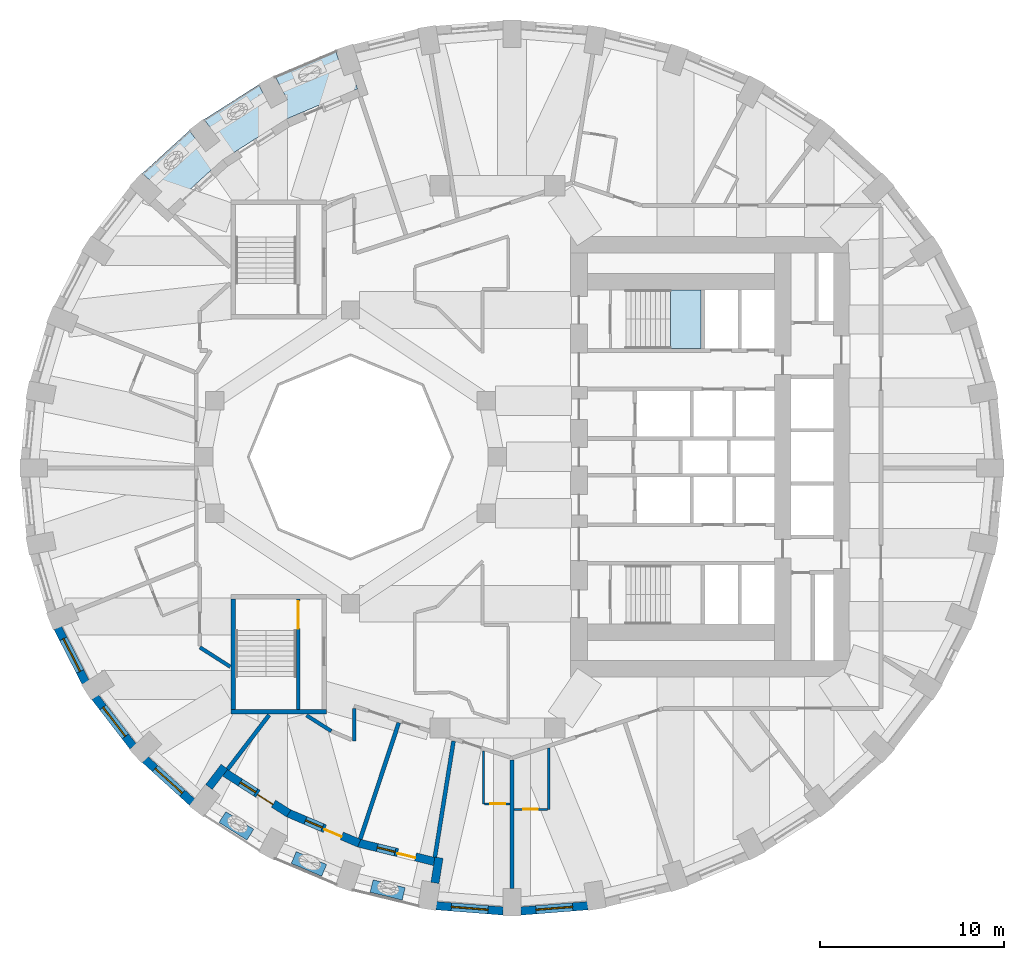
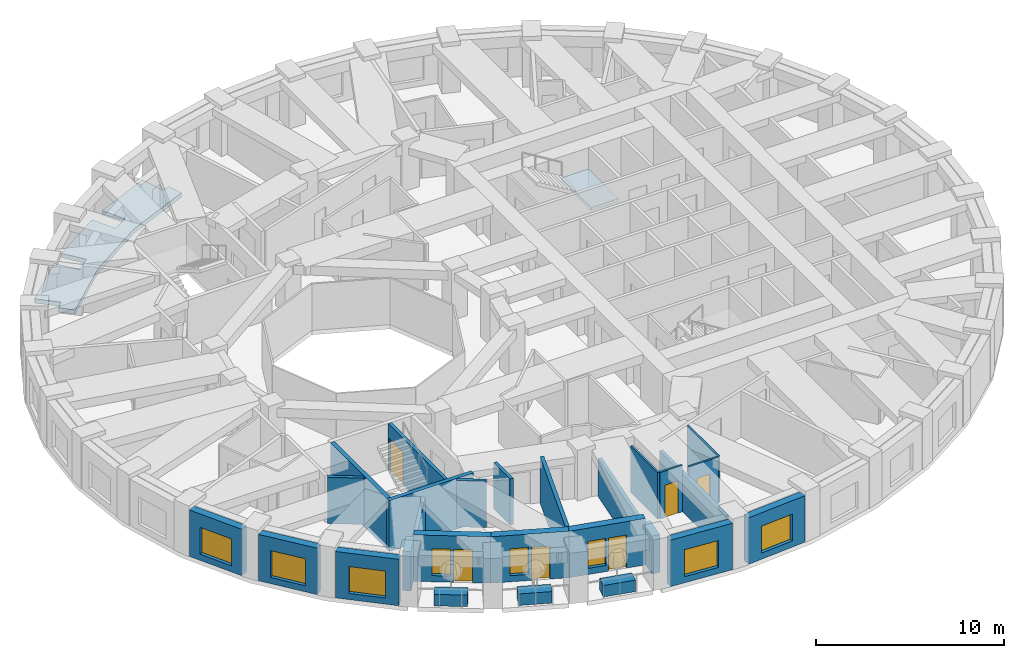
# One storey, part 3 of 12: 27 walls, 8 windows, 6 doors, 2 slabs, 14 openings, 1 element without a shape of its own.
"""IFC4 building model written with IfcOpenShell, lengths in metres."""

from ifc_helpers import new_model, si_unit, direction, frame, frame_2d, origin, place, context, subcontext, project, spatial, polyline, rectangle, outline, extrude, material, layer, layer_set, constituent, constituent_set, type_object, element, fill, aggregate, save


model = new_model("IFC4")

# Units and contexts
model_context = context("Model", 3, precision=1e-05, world=origin(), true_north=direction((0.0, 1.0)))
body_context = subcontext(model_context, "Body", "Model", "MODEL_VIEW")
ifc_project = project(units=[si_unit("LENGTHUNIT", "METRE"), si_unit("AREAUNIT", "SQUARE_METRE"), si_unit("VOLUMEUNIT", "CUBIC_METRE"), si_unit("PLANEANGLEUNIT", "RADIAN"), si_unit("MASSUNIT", "GRAM", prefix="KILO")], contexts=[model_context])

# Site, building, storey
site_placement = place(None, origin())
site = spatial("IfcSite", under=ifc_project, at=site_placement, CompositionType="ELEMENT")
building_placement = place(site_placement, origin())
building = spatial("IfcBuilding", under=site, at=building_placement, Name="Taillehof Tower", CompositionType="ELEMENT")
storey_placement = place(building_placement, frame((0.0, 0.0, 125.199951171875)))
storey = spatial("IfcBuildingStorey", under=building, at=storey_placement, Name="L35", CompositionType="ELEMENT", Elevation=125.199951171875)

# Slab
ifc_material_1 = material(Name="Concrete C40/50", Category="concrete")
ifc_layer_1 = layer(ifc_material_1, 0.280029296875)
ifc_layer_set_1 = layer_set([ifc_layer_1], Name="Balcony slab 280")
slab_type_1 = type_object("IfcSlabType", Name="Balcony slab 280", PredefinedType="USERDEFINED", material=ifc_layer_set_1)
slab_1_placement = place(storey_placement, frame((0.0, 0.0, -0.280029296875)))
element("IfcSlab", 1, at=slab_1_placement, inside=storey, type_object=slab_type_1, Name="Balcony L35 pocket 3", ObjectType="BALCONY", PredefinedType="USERDEFINED", context=body_context, shape_type="SweptSolid", body=[
    extrude(outline(polyline([(-17.965087890625, 13.45751953125), (-18.627685546875, 14.068115234375), (-18.26513671875, 14.46142578125), (-19.3330078125, 15.445556640625), (-16.7724609375, 17.77685546875), (-15.88671875, 16.617431640625), (-15.092041015625, 17.224609375), (-15.974609375, 18.379638671875), (-12.998046875, 20.27734375), (-12.318603515625, 18.985107421875), (-11.433349609375, 19.4501953125), (-12.11083984375, 20.73876953125), (-8.807861328125, 22.14111328125), (-8.348388671875, 20.754638671875), (-7.894287109375, 20.905029296875), (-7.611328125, 20.05029296875), (-11.4833984375, 18.40673828125), (-14.9697265625, 16.184326171875), (-17.965087890625, 13.45751953125)])), origin(), (0.0, 0.0, 1.0), 0.280029296875),
])

# Stair, slab
ifc_material_2 = material(Name="Concrete C40/50", Category="concrete")
stair_type = type_object("IfcStairType", Name="Exit stair half-turn", PredefinedType="HALF_TURN_STAIR", material=ifc_material_2)
stair_placement = place(storey_placement, origin())
stair = element("IfcStair", 2, at=stair_placement, inside=storey, type_object=stair_type, Name="Exit stair S1", PredefinedType="HALF_TURN_STAIR")
ifc_material_3 = material(Name="Concrete C40/50", Category="concrete")
ifc_layer_2 = layer(ifc_material_3, 0.2099609375)
ifc_layer_set_2 = layer_set([ifc_layer_2], Name="Stair landing C40/50 210")
slab_type_2 = type_object("IfcSlabType", Name="Stair landing C40/50 210", PredefinedType="LANDING", material=ifc_layer_set_2)
slab_2_placement = place(storey_placement, frame((0.0, 0.0, 1.43994140625)))
slab_2 = element("IfcSlab", 3, at=slab_2_placement, type_object=slab_type_2, Name="S1 landing 1", PredefinedType="LANDING", context=body_context, shape_type="SweptSolid", body=[
    extrude(outline(polyline([(9.429931640625, 5.89990234375), (11.10009765625, 5.89990234375), (11.10009765625, 9.10009765625), (9.429931640625, 9.10009765625), (9.429931640625, 5.89990234375)])), origin(), (0.0, 0.0, 1.0), 0.210205078125),
])
aggregate(stair, [slab_2])

# Wall, opening, window
ifc_material_4 = material(Name="Brick masonry", Category="masonry")
ifc_layer_3 = layer(ifc_material_4, 0.449951171875)
ifc_layer_set_3 = layer_set([ifc_layer_3], Name="Brick infill wall 450")
wall_type_1 = type_object("IfcWallType", Name="Brick infill wall 450", PredefinedType="SOLIDWALL", material=ifc_layer_set_3)
wall_1_placement = place(storey_placement, frame((-23.9453125, -9.312255859375, 0.0), z_axis=(0.0, 0.0, 1.0), x_axis=(0.456828186229, -0.889554949549, 0.0)))
wall_1 = element("IfcWall", 4, at=wall_1_placement, inside=storey, type_object=wall_type_1, Name="Brick wall L35 bay 21", PredefinedType="SOLIDWALL", context=body_context, shape_type="SweptSolid", body=[
    extrude(rectangle(XDim=3.332763671875, YDim=0.449951171875, at=frame_2d((1.66650390625, 0.0))), origin(), (0.0, 0.0, 1.0), 3.02001953125),
])
opening_1_placement = place(wall_1_placement, frame((0.666259765625, 0.0, 0.39990234375)))
opening_1 = element("IfcOpeningElement", 5, at=opening_1_placement, cuts=wall_1, Name="Opening W2", PredefinedType="OPENING", context=body_context, shape_type="SweptSolid", body=[
    extrude(rectangle(XDim=2.0, YDim=1.75, at=frame_2d((1.0, 0.875))), frame((0.0, 0.23486328125, 0.0), z_axis=(0.0, -1.0, 0.0), x_axis=(1.0, 0.0, 0.0)), (0.0, 0.0, 1.0), 0.469970703125),
])
ifc_material_5 = material(Name="Aluminium window frame with clear double glazing", Category="aluminium")
window_type_1 = type_object("IfcWindowType", Name="Deep-set window 2000x1750", PartitioningType="SINGLE_PANEL", PredefinedType="WINDOW", material=ifc_material_5)
window_1_placement = place(opening_1_placement, origin())
window_1 = element("IfcWindow", 6, at=window_1_placement, inside=storey, type_object=window_type_1, Name="W2", OverallHeight=1.75, OverallWidth=2.0, PartitioningType="SINGLE_PANEL", PredefinedType="WINDOW", context=body_context, shape_type="SweptSolid", body=[
    extrude(rectangle(XDim=2.0, YDim=1.75, at=frame_2d((1.0, 0.875))), frame((0.0, 0.034912109375, 0.0), z_axis=(0.0, -1.0, 0.0), x_axis=(1.0, 0.0, 0.0)), (0.0, 0.0, 1.0), 0.06005859375),
])
fill(opening_1, window_1)

wall_2_placement = place(storey_placement, frame((-21.908203125, -13.08740234375, 0.0), z_axis=(0.0, 0.0, 1.0), x_axis=(0.610693945156, -0.791866721961, 0.0)))
wall_2 = element("IfcWall", 7, at=wall_2_placement, inside=storey, type_object=wall_type_1, Name="Brick wall L35 bay 22", PredefinedType="SOLIDWALL", context=body_context, shape_type="SweptSolid", body=[
    extrude(rectangle(XDim=3.39453125, YDim=0.449951171875, at=frame_2d((1.697265625, 0.0))), origin(), (0.0, 0.0, 1.0), 3.02001953125),
])
opening_2_placement = place(wall_2_placement, frame((0.697265625, 0.0, 0.39990234375)))
opening_2 = element("IfcOpeningElement", 8, at=opening_2_placement, cuts=wall_2, Name="Opening W2", PredefinedType="OPENING", context=body_context, shape_type="SweptSolid", body=[
    extrude(rectangle(XDim=2.0, YDim=1.75, at=frame_2d((1.0, 0.875))), frame((0.0, 0.23486328125, 0.0), z_axis=(0.0, -1.0, 0.0), x_axis=(1.0, 0.0, 0.0)), (0.0, 0.0, 1.0), 0.469970703125),
])
window_2_placement = place(opening_2_placement, origin())
window_2 = element("IfcWindow", 9, at=window_2_placement, inside=storey, type_object=window_type_1, Name="W2", OverallHeight=1.75, OverallWidth=2.0, PartitioningType="SINGLE_PANEL", PredefinedType="WINDOW", context=body_context, shape_type="SweptSolid", body=[
    extrude(rectangle(XDim=2.0, YDim=1.75, at=frame_2d((1.0, 0.875))), frame((0.0, 0.034912109375, 0.0), z_axis=(0.0, -1.0, 0.0), x_axis=(1.0, 0.0, 0.0)), (0.0, 0.0, 1.0), 0.06005859375),
])
fill(opening_2, window_2)

wall_3_placement = place(storey_placement, frame((-19.18408203125, -16.481201171875, 0.0), z_axis=(0.0, 0.0, 1.0), x_axis=(0.740364106106, -0.672206062446, 0.0)))
wall_3 = element("IfcWall", 10, at=wall_3_placement, inside=storey, type_object=wall_type_1, Name="Brick wall L35 bay 23", PredefinedType="SOLIDWALL", context=body_context, shape_type="SweptSolid", body=[
    extrude(rectangle(XDim=3.4638671875, YDim=0.449951171875, at=frame_2d((1.73193359375, 0.0))), origin(), (0.0, 0.0, 1.0), 3.02001953125),
])
opening_3_placement = place(wall_3_placement, frame((0.73193359375, 0.0, 0.39990234375)))
opening_3 = element("IfcOpeningElement", 11, at=opening_3_placement, cuts=wall_3, Name="Opening W2", PredefinedType="OPENING", context=body_context, shape_type="SweptSolid", body=[
    extrude(rectangle(XDim=2.0, YDim=1.75, at=frame_2d((1.0, 0.875))), frame((0.0, 0.23486328125, 0.0), z_axis=(0.0, -1.0, 0.0), x_axis=(1.0, 0.0, 0.0)), (0.0, 0.0, 1.0), 0.469970703125),
])
window_3_placement = place(opening_3_placement, origin())
window_3 = element("IfcWindow", 12, at=window_3_placement, inside=storey, type_object=window_type_1, Name="W2", OverallHeight=1.75, OverallWidth=2.0, PartitioningType="SINGLE_PANEL", PredefinedType="WINDOW", context=body_context, shape_type="SweptSolid", body=[
    extrude(rectangle(XDim=2.0, YDim=1.75, at=frame_2d((1.0, 0.875))), frame((0.0, 0.034912109375, 0.0), z_axis=(0.0, -1.0, 0.0), x_axis=(1.0, 0.0, 0.0)), (0.0, 0.0, 1.0), 0.06005859375),
])
fill(opening_3, window_3)

wall_4_placement = place(storey_placement, frame((-3.32666015625, -24.446533203125, 0.0), z_axis=(0.0, 0.0, 1.0), x_axis=(0.996862216754, -0.079156306178, 0.0)))
wall_4 = element("IfcWall", 13, at=wall_4_placement, inside=storey, type_object=wall_type_1, Name="Brick wall L35 bay 27", PredefinedType="SOLIDWALL", context=body_context, shape_type="SweptSolid", body=[
    extrude(rectangle(XDim=3.657958984375, YDim=0.449951171875, at=frame_2d((1.8291015625, 0.0))), origin(), (0.0, 0.0, 1.0), 3.02001953125),
])
opening_4_placement = place(wall_4_placement, frame((0.8291015625, 0.0, 0.39990234375)))
opening_4 = element("IfcOpeningElement", 14, at=opening_4_placement, cuts=wall_4, Name="Opening W2", PredefinedType="OPENING", context=body_context, shape_type="SweptSolid", body=[
    extrude(rectangle(XDim=2.0, YDim=1.75, at=frame_2d((1.0, 0.875))), frame((0.0, 0.23486328125, 0.0), z_axis=(0.0, -1.0, 0.0), x_axis=(1.0, 0.0, 0.0)), (0.0, 0.0, 1.0), 0.469970703125),
])
window_4_placement = place(opening_4_placement, origin())
window_4 = element("IfcWindow", 15, at=window_4_placement, inside=storey, type_object=window_type_1, Name="W2", OverallHeight=1.75, OverallWidth=2.0, PartitioningType="SINGLE_PANEL", PredefinedType="WINDOW", context=body_context, shape_type="SweptSolid", body=[
    extrude(rectangle(XDim=2.0, YDim=1.75, at=frame_2d((1.0, 0.875))), frame((0.0, 0.034912109375, 0.0), z_axis=(0.0, -1.0, 0.0), x_axis=(1.0, 0.0, 0.0)), (0.0, 0.0, 1.0), 0.06005859375),
])
fill(opening_4, window_4)

wall_5_placement = place(storey_placement, frame((1.280029296875, -24.736083984375, 0.0), z_axis=(0.0, 0.0, 1.0), x_axis=(0.996862216754, 0.079156306178, 0.0)))
wall_5 = element("IfcWall", 16, at=wall_5_placement, inside=storey, type_object=wall_type_1, Name="Brick wall L35 bay 28", PredefinedType="SOLIDWALL", context=body_context, shape_type="SweptSolid", body=[
    extrude(rectangle(XDim=3.657958984375, YDim=0.449951171875, at=frame_2d((1.8291015625, 0.0))), origin(), (0.0, 0.0, 1.0), 3.02001953125),
])
opening_5_placement = place(wall_5_placement, frame((0.8291015625, 0.0, 0.39990234375)))
opening_5 = element("IfcOpeningElement", 17, at=opening_5_placement, cuts=wall_5, Name="Opening W2", PredefinedType="OPENING", context=body_context, shape_type="SweptSolid", body=[
    extrude(rectangle(XDim=2.0, YDim=1.75, at=frame_2d((1.0, 0.875))), frame((0.0, 0.23486328125, 0.0), z_axis=(0.0, -1.0, 0.0), x_axis=(1.0, 0.0, 0.0)), (0.0, 0.0, 1.0), 0.469970703125),
])
window_5_placement = place(opening_5_placement, origin())
window_5 = element("IfcWindow", 18, at=window_5_placement, inside=storey, type_object=window_type_1, Name="W2", OverallHeight=1.75, OverallWidth=2.0, PartitioningType="SINGLE_PANEL", PredefinedType="WINDOW", context=body_context, shape_type="SweptSolid", body=[
    extrude(rectangle(XDim=2.0, YDim=1.75, at=frame_2d((1.0, 0.875))), frame((0.0, 0.034912109375, 0.0), z_axis=(0.0, -1.0, 0.0), x_axis=(1.0, 0.0, 0.0)), (0.0, 0.0, 1.0), 0.06005859375),
])
fill(opening_5, window_5)

# Walls
wall_6_placement = place(storey_placement, frame((-15.70751953125, -17.9794921875, 0.0), z_axis=(0.0, 0.0, 1.0), x_axis=(0.607026495834, 0.794681592435, 0.0)))
element("IfcWall", 19, at=wall_6_placement, inside=storey, type_object=wall_type_1, Name="Brick reveal L35 pocket 7", PredefinedType="SOLIDWALL", context=body_context, shape_type="SweptSolid", body=[
    extrude(rectangle(XDim=1.390869140625, YDim=0.449951171875, at=frame_2d((0.6953125, 0.0))), origin(), (0.0, 0.0, 1.0), 2.570068359375),
])
wall_7_placement = place(storey_placement, frame((-3.39697265625, -23.203857421875, 0.0), z_axis=(0.0, 0.0, 1.0), x_axis=(0.158415168535, 0.987372591466, 0.0)))
element("IfcWall", 20, at=wall_7_placement, inside=storey, type_object=wall_type_1, Name="Brick reveal L35 pocket 7", PredefinedType="SOLIDWALL", context=body_context, shape_type="SweptSolid", body=[
    extrude(rectangle(XDim=1.39013671875, YDim=0.449951171875, at=frame_2d((0.695068359375, 0.0))), origin(), (0.0, 0.0, 1.0), 2.469970703125),
])

# Wall, openings, door, window
wall_8_placement = place(storey_placement, frame((-14.832763671875, -17.204833984375, 0.0), z_axis=(0.0, 0.0, 1.0), x_axis=(0.843255766903, -0.537512522259, 0.0)))
wall_8 = element("IfcWall", 21, at=wall_8_placement, inside=storey, type_object=wall_type_1, Name="Brick wall L35 pocket bay 24", PredefinedType="SOLIDWALL", context=body_context, shape_type="SweptSolid", body=[
    extrude(rectangle(XDim=4.115478515625, YDim=0.449951171875, at=frame_2d((2.0576171875, 0.0))), origin(), (0.0, 0.0, 1.0), 3.02001953125),
])
opening_6_placement = place(wall_8_placement, frame((0.982666015625, 0.0, 0.39990234375)))
opening_6 = element("IfcOpeningElement", 22, at=opening_6_placement, cuts=wall_8, Name="Opening W5", PredefinedType="OPENING", context=body_context, shape_type="SweptSolid", body=[
    extrude(rectangle(XDim=1.0, YDim=1.75, at=frame_2d((0.5, 0.875))), frame((0.0, 0.23486328125, 0.0), z_axis=(0.0, -1.0, 0.0), x_axis=(1.0, 0.0, 0.0)), (0.0, 0.0, 1.0), 0.469970703125),
])
opening_7_placement = place(wall_8_placement, frame((2.132568359375, 0.0, 0.0)))
opening_7 = element("IfcOpeningElement", 23, at=opening_7_placement, cuts=wall_8, Name="Opening D3591", PredefinedType="OPENING", context=body_context, shape_type="SweptSolid", body=[
    extrude(rectangle(XDim=1.0, YDim=2.14990234375, at=frame_2d((0.5, 1.074951171875))), frame((0.0, 0.23486328125, 0.0), z_axis=(0.0, -1.0, 0.0), x_axis=(1.0, 0.0, 0.0)), (0.0, 0.0, 1.0), 0.469970703125),
])
ifc_material_6 = material(Name="Aluminium door frame with clear double glazing", Category="aluminium")
door_type_1 = type_object("IfcDoorType", Name="Balcony door 1000x2150", OperationType="SINGLE_SWING_RIGHT", PredefinedType="DOOR", material=ifc_material_6)
door_1_placement = place(opening_7_placement, frame((1.0, 0.0, 0.0), z_axis=(0.0, 0.0, 1.0), x_axis=(-1.0, 0.0, 0.0)))
door_1 = element("IfcDoor", 24, at=door_1_placement, inside=storey, type_object=door_type_1, Name="Balcony door L35 bay 24", OperationType="SINGLE_SWING_RIGHT", OverallHeight=2.14990234375, OverallWidth=1.0, PredefinedType="DOOR", context=body_context, shape_type="SweptSolid", body=[
    extrude(rectangle(XDim=1.0, YDim=2.14990234375, at=frame_2d((0.5, 1.074951171875))), frame((0.0, 0.0751953125, 0.0), z_axis=(0.0, -1.0, 0.0), x_axis=(1.0, 0.0, 0.0)), (0.0, 0.0, 1.0), 0.050048828125),
])
fill(opening_7, door_1)
ifc_material_7 = material(Name="Aluminium window frame with clear double glazing", Category="aluminium")
window_type_2 = type_object("IfcWindowType", Name="Fixed window 1000x1750", PartitioningType="SINGLE_PANEL", PredefinedType="WINDOW", material=ifc_material_7)
window_6_placement = place(opening_6_placement, origin())
window_6 = element("IfcWindow", 25, at=window_6_placement, inside=storey, type_object=window_type_2, Name="W5", OverallHeight=1.75, OverallWidth=1.0, PartitioningType="SINGLE_PANEL", PredefinedType="WINDOW", context=body_context, shape_type="SweptSolid", body=[
    extrude(rectangle(XDim=1.0, YDim=1.75, at=frame_2d((0.5, 0.875))), frame((0.0, 0.034912109375, 0.0), z_axis=(0.0, -1.0, 0.0), x_axis=(1.0, 0.0, 0.0)), (0.0, 0.0, 1.0), 0.06005859375),
])
fill(opening_6, window_6)

wall_9_placement = place(storey_placement, frame((-11.3955078125, -19.3994140625, 0.0), z_axis=(0.0, 0.0, 1.0), x_axis=(0.920496400713, -0.390751041296, 0.0)))
wall_9 = element("IfcWall", 26, at=wall_9_placement, inside=storey, type_object=wall_type_1, Name="Brick wall L35 pocket bay 25", PredefinedType="SOLIDWALL", context=body_context, shape_type="SweptSolid", body=[
    extrude(rectangle(XDim=4.206787109375, YDim=0.449951171875, at=frame_2d((2.103515625, 0.0))), origin(), (0.0, 0.0, 1.0), 3.02001953125),
])
opening_8_placement = place(wall_9_placement, frame((1.0283203125, 0.0, 0.39990234375)))
opening_8 = element("IfcOpeningElement", 27, at=opening_8_placement, cuts=wall_9, Name="Opening W5", PredefinedType="OPENING", context=body_context, shape_type="SweptSolid", body=[
    extrude(rectangle(XDim=1.0, YDim=1.75, at=frame_2d((0.5, 0.875))), frame((0.0, 0.23486328125, 0.0), z_axis=(0.0, -1.0, 0.0), x_axis=(1.0, 0.0, 0.0)), (0.0, 0.0, 1.0), 0.469970703125),
])
opening_9_placement = place(wall_9_placement, frame((2.17822265625, 0.0, 0.0)))
opening_9 = element("IfcOpeningElement", 28, at=opening_9_placement, cuts=wall_9, Name="Opening D3592", PredefinedType="OPENING", context=body_context, shape_type="SweptSolid", body=[
    extrude(rectangle(XDim=1.0, YDim=2.14990234375, at=frame_2d((0.5, 1.074951171875))), frame((0.0, 0.23486328125, 0.0), z_axis=(0.0, -1.0, 0.0), x_axis=(1.0, 0.0, 0.0)), (0.0, 0.0, 1.0), 0.469970703125),
])
door_2_placement = place(opening_9_placement, frame((1.0, 0.0, 0.0), z_axis=(0.0, 0.0, 1.0), x_axis=(-1.0, 0.0, 0.0)))
door_2 = element("IfcDoor", 29, at=door_2_placement, inside=storey, type_object=door_type_1, Name="Balcony door L35 bay 25", OperationType="SINGLE_SWING_LEFT", OverallHeight=2.14990234375, OverallWidth=1.0, PredefinedType="DOOR", context=body_context, shape_type="SweptSolid", body=[
    extrude(rectangle(XDim=1.0, YDim=2.14990234375, at=frame_2d((0.5, 1.074951171875))), frame((0.0, 0.0751953125, 0.0), z_axis=(0.0, -1.0, 0.0), x_axis=(1.0, 0.0, 0.0)), (0.0, 0.0, 1.0), 0.050048828125),
])
fill(opening_9, door_2)
window_7_placement = place(opening_8_placement, origin())
window_7 = element("IfcWindow", 30, at=window_7_placement, inside=storey, type_object=window_type_2, Name="W5", OverallHeight=1.75, OverallWidth=1.0, PartitioningType="SINGLE_PANEL", PredefinedType="WINDOW", context=body_context, shape_type="SweptSolid", body=[
    extrude(rectangle(XDim=1.0, YDim=1.75, at=frame_2d((0.5, 0.875))), frame((0.0, 0.034912109375, 0.0), z_axis=(0.0, -1.0, 0.0), x_axis=(1.0, 0.0, 0.0)), (0.0, 0.0, 1.0), 0.06005859375),
])
fill(opening_8, window_7)

wall_10_placement = place(storey_placement, frame((-7.557861328125, -21.03173828125, 0.0), z_axis=(0.0, 0.0, 1.0), x_axis=(0.971511611373, -0.23699195971, 0.0)))
wall_10 = element("IfcWall", 31, at=wall_10_placement, inside=storey, type_object=wall_type_1, Name="Brick wall L35 pocket bay 26", PredefinedType="SOLIDWALL", context=body_context, shape_type="SweptSolid", body=[
    extrude(rectangle(XDim=4.2412109375, YDim=0.449951171875, at=frame_2d((2.12060546875, 0.0))), origin(), (0.0, 0.0, 1.0), 3.02001953125),
])
opening_10_placement = place(wall_10_placement, frame((1.045654296875, 0.0, 0.39990234375)))
opening_10 = element("IfcOpeningElement", 32, at=opening_10_placement, cuts=wall_10, Name="Opening W5", PredefinedType="OPENING", context=body_context, shape_type="SweptSolid", body=[
    extrude(rectangle(XDim=1.0, YDim=1.75, at=frame_2d((0.5, 0.875))), frame((0.0, 0.23486328125, 0.0), z_axis=(0.0, -1.0, 0.0), x_axis=(1.0, 0.0, 0.0)), (0.0, 0.0, 1.0), 0.469970703125),
])
opening_11_placement = place(wall_10_placement, frame((2.195556640625, 0.0, 0.0)))
opening_11 = element("IfcOpeningElement", 33, at=opening_11_placement, cuts=wall_10, Name="Opening D3593", PredefinedType="OPENING", context=body_context, shape_type="SweptSolid", body=[
    extrude(rectangle(XDim=1.0, YDim=2.14990234375, at=frame_2d((0.5, 1.074951171875))), frame((0.0, 0.23486328125, 0.0), z_axis=(0.0, -1.0, 0.0), x_axis=(1.0, 0.0, 0.0)), (0.0, 0.0, 1.0), 0.469970703125),
])
door_3_placement = place(opening_11_placement, frame((1.0, 0.0, 0.0), z_axis=(0.0, 0.0, 1.0), x_axis=(-1.0, 0.0, 0.0)))
door_3 = element("IfcDoor", 34, at=door_3_placement, inside=storey, type_object=door_type_1, Name="Balcony door L35 bay 26", OperationType="SINGLE_SWING_LEFT", OverallHeight=2.14990234375, OverallWidth=1.0, PredefinedType="DOOR", context=body_context, shape_type="SweptSolid", body=[
    extrude(rectangle(XDim=1.0, YDim=2.14990234375, at=frame_2d((0.5, 1.074951171875))), frame((0.0, 0.0751953125, 0.0), z_axis=(0.0, -1.0, 0.0), x_axis=(1.0, 0.0, 0.0)), (0.0, 0.0, 1.0), 0.050048828125),
])
fill(opening_11, door_3)
window_8_placement = place(opening_10_placement, origin())
window_8 = element("IfcWindow", 35, at=window_8_placement, inside=storey, type_object=window_type_2, Name="W5", OverallHeight=1.75, OverallWidth=1.0, PartitioningType="SINGLE_PANEL", PredefinedType="WINDOW", context=body_context, shape_type="SweptSolid", body=[
    extrude(rectangle(XDim=1.0, YDim=1.75, at=frame_2d((0.5, 0.875))), frame((0.0, 0.034912109375, 0.0), z_axis=(0.0, -1.0, 0.0), x_axis=(1.0, 0.0, 0.0)), (0.0, 0.0, 1.0), 0.06005859375),
])
fill(opening_10, window_8)

# Walls
ifc_material_8 = material(Name="Gypsum board on steel studs, two layers each side", Category="steel")
ifc_layer_4 = layer(ifc_material_8, 0.199951171875)
ifc_layer_set_4 = layer_set([ifc_layer_4], Name="Compartment wall corridor 200")
wall_type_2 = type_object("IfcWallType", Name="Compartment wall corridor 200", PredefinedType="PARTITIONING", material=ifc_layer_set_4)
wall_11_placement = place(storey_placement, frame((-14.544921875, -11.42919921875, 0.0), z_axis=(0.0, 0.0, 1.0), x_axis=(-0.843261732334, 0.537503163507, 0.0)))
element("IfcWall", 36, at=wall_11_placement, inside=storey, type_object=wall_type_2, Name="Compartment wall", PredefinedType="PARTITIONING", context=body_context, shape_type="SweptSolid", body=[
    extrude(rectangle(XDim=1.962646484375, YDim=0.199951171875, at=frame_2d((0.9814453125, 0.0))), origin(), (0.0, 0.0, 1.0), 3.02001953125),
])
wall_12_placement = place(storey_placement, frame((-7.800048828125, -13.716064453125, 0.0), z_axis=(0.0, 0.0, 1.0), x_axis=(0.0, -1.0, 0.0)))
element("IfcWall", 37, at=wall_12_placement, inside=storey, type_object=wall_type_2, Name="Compartment wall", PredefinedType="PARTITIONING", context=body_context, shape_type="SweptSolid", body=[
    extrude(rectangle(XDim=1.750732421875, YDim=0.199951171875, at=frame_2d((0.87548828125, 0.0))), origin(), (0.0, 0.0, 1.0), 3.02001953125),
])
wall_13_placement = place(storey_placement, frame((-9.046630859375, -14.93408203125, 0.0), z_axis=(0.0, 0.0, 1.0), x_axis=(-0.843232404468, 0.537549171755, 0.0)))
element("IfcWall", 38, at=wall_13_placement, inside=storey, type_object=wall_type_2, Name="Compartment wall", PredefinedType="PARTITIONING", context=body_context, shape_type="SweptSolid", body=[
    extrude(rectangle(XDim=1.59423828125, YDim=0.199951171875, at=frame_2d((0.797119140625, 0.0))), origin(), (0.0, 0.0, 1.0), 3.02001953125),
])
ifc_material_9 = material(Name="Gypsum board on double steel studs with mineral wool", Category="steel")
ifc_layer_5 = layer(ifc_material_9, 0.219970703125)
ifc_layer_set_5 = layer_set([ifc_layer_5], Name="Compartment wall guest room 220")
wall_type_3 = type_object("IfcWallType", Name="Compartment wall guest room 220", PredefinedType="PARTITIONING", material=ifc_layer_set_5)
wall_14_placement = place(storey_placement, frame((-14.695556640625, -17.025390625, 0.0), z_axis=(0.0, 0.0, 1.0), x_axis=(0.607059278405, 0.794656550028, 0.0)))
element("IfcWall", 39, at=wall_14_placement, inside=storey, type_object=wall_type_3, Name="Compartment wall", PredefinedType="PARTITIONING", context=body_context, shape_type="SweptSolid", body=[
    extrude(rectangle(XDim=3.733642578125, YDim=0.219970703125, at=frame_2d((1.86669921875, 0.0))), origin(), (0.0, 0.0, 1.0), 2.570068359375),
])
wall_15_placement = place(storey_placement, frame((-7.46923828125, -20.82177734375, 0.0), z_axis=(0.0, 0.0, 1.0), x_axis=(0.314560923857, 0.949237286026, 0.0)))
element("IfcWall", 40, at=wall_15_placement, inside=storey, type_object=wall_type_3, Name="Compartment wall", PredefinedType="PARTITIONING", context=body_context, shape_type="SweptSolid", body=[
    extrude(rectangle(XDim=6.680908203125, YDim=0.219970703125, at=frame_2d((3.34033203125, 0.0))), origin(), (0.0, 0.0, 1.0), 3.02001953125),
])
wall_16_placement = place(storey_placement, frame((-3.40185546875, -21.81396484375, 0.0), z_axis=(0.0, 0.0, 1.0), x_axis=(0.158514453841, 0.987356656899, 0.0)))
element("IfcWall", 41, at=wall_16_placement, inside=storey, type_object=wall_type_3, Name="Compartment wall", PredefinedType="PARTITIONING", context=body_context, shape_type="SweptSolid", body=[
    extrude(rectangle(XDim=6.414794921875, YDim=0.219970703125, at=frame_2d((3.20751953125, 0.0))), origin(), (0.0, 0.0, 1.0), 2.469970703125),
])
wall_17_placement = place(storey_placement, frame((0.800048828125, -23.5, 0.0), z_axis=(0.0, 0.0, 1.0), x_axis=(0.0, 1.0, 0.0)))
element("IfcWall", 42, at=wall_17_placement, inside=storey, type_object=wall_type_3, Name="Compartment wall", PredefinedType="PARTITIONING", context=body_context, shape_type="SweptSolid", body=[
    extrude(rectangle(XDim=7.0, YDim=0.219970703125, at=frame_2d((3.5, 0.0))), origin(), (0.0, 0.0, 1.0), 2.469970703125),
])
ifc_material_10 = material(Name="Gypsum board on steel studs, moisture resistant", Category="steel")
ifc_layer_6 = layer(ifc_material_10, 0.1201171875)
ifc_layer_set_6 = layer_set([ifc_layer_6], Name="En-suite wall 120")
wall_type_4 = type_object("IfcWallType", Name="En-suite wall 120", PredefinedType="PARTITIONING", material=ifc_layer_set_6)
wall_18_placement = place(storey_placement, frame((-0.75, -16.01611328125, 0.0), z_axis=(0.0, 0.0, 1.0), x_axis=(0.0, -1.0, 0.0)))
element("IfcWall", 43, at=wall_18_placement, inside=storey, type_object=wall_type_4, Name="En-suite wall", PredefinedType="PARTITIONING", context=body_context, shape_type="SweptSolid", body=[
    extrude(rectangle(XDim=2.8837890625, YDim=0.1201171875, at=frame_2d((1.44189453125, 0.0))), origin(), (0.0, 0.0, 1.0), 3.02001953125),
])
wall_19_placement = place(storey_placement, frame((2.800048828125, -15.868408203125, 0.0), z_axis=(0.0, 0.0, 1.0), x_axis=(0.0, -1.0, 0.0)))
element("IfcWall", 44, at=wall_19_placement, inside=storey, type_object=wall_type_4, Name="En-suite wall", PredefinedType="PARTITIONING", context=body_context, shape_type="SweptSolid", body=[
    extrude(rectangle(XDim=3.33154296875, YDim=0.1201171875, at=frame_2d((1.665771484375, 0.0))), origin(), (0.0, 0.0, 1.0), 3.02001953125),
])

# Wall, opening, door
wall_20_placement = place(storey_placement, frame((-0.68994140625, -18.89990234375, 0.0), z_axis=(0.0, 0.0, 1.0), x_axis=(1.0, 0.0, 0.0)))
wall_20 = element("IfcWall", 45, at=wall_20_placement, inside=storey, type_object=wall_type_4, Name="En-suite wall", PredefinedType="PARTITIONING", context=body_context, shape_type="SweptSolid", body=[
    extrude(rectangle(XDim=1.3798828125, YDim=0.1201171875, at=frame_2d((0.68994140625, 0.0))), origin(), (0.0, 0.0, 1.0), 3.02001953125),
])
opening_12_placement = place(wall_20_placement, frame((0.31494140625, 0.0, 0.0)))
opening_12 = element("IfcOpeningElement", 46, at=opening_12_placement, cuts=wall_20, Name="Opening D3557", PredefinedType="OPENING", context=body_context, shape_type="SweptSolid", body=[
    extrude(rectangle(XDim=0.800048828125, YDim=2.10009765625, at=frame_2d((0.39990234375, 1.050048828125))), frame((0.0, 0.070068359375, 0.0), z_axis=(0.0, -1.0, 0.0), x_axis=(1.0, 0.0, 0.0)), (0.0, 0.0, 1.0), 0.14013671875),
])
ifc_material_11 = material(Name="Timber door leaf in steel frame", Category="steel")
door_type_2 = type_object("IfcDoorType", Name="En-suite door 800 x 2100", OperationType="SINGLE_SWING_LEFT", PredefinedType="DOOR", material=ifc_material_11)
door_4_placement = place(opening_12_placement, origin())
door_4 = element("IfcDoor", 47, at=door_4_placement, inside=storey, type_object=door_type_2, Name="D3557", OperationType="SINGLE_SWING_LEFT", OverallHeight=2.10009765625, OverallWidth=0.800048828125, PredefinedType="DOOR", context=body_context, shape_type="SweptSolid", body=[
    extrude(rectangle(XDim=0.800048828125, YDim=2.10009765625, at=frame_2d((0.39990234375, 1.050048828125))), frame((0.0, 0.02490234375, 0.0), z_axis=(0.0, -1.0, 0.0), x_axis=(1.0, 0.0, 0.0)), (0.0, 0.0, 1.0), 0.050048828125),
])
fill(opening_12, door_4)

wall_21_placement = place(storey_placement, frame((2.739990234375, -19.199951171875, 0.0), z_axis=(0.0, 0.0, 1.0), x_axis=(-1.0, 0.0, 0.0)))
wall_21 = element("IfcWall", 48, at=wall_21_placement, inside=storey, type_object=wall_type_4, Name="En-suite wall", PredefinedType="PARTITIONING", context=body_context, shape_type="SweptSolid", body=[
    extrude(rectangle(XDim=1.829833984375, YDim=0.1201171875, at=frame_2d((0.9150390625, 0.0))), origin(), (0.0, 0.0, 1.0), 3.02001953125),
])
opening_13_placement = place(wall_21_placement, frame((0.5400390625, 0.0, 0.0)))
opening_13 = element("IfcOpeningElement", 49, at=opening_13_placement, cuts=wall_21, Name="Opening D3559", PredefinedType="OPENING", context=body_context, shape_type="SweptSolid", body=[
    extrude(rectangle(XDim=0.800048828125, YDim=2.10009765625, at=frame_2d((0.39990234375, 1.050048828125))), frame((0.0, 0.070068359375, 0.0), z_axis=(0.0, -1.0, 0.0), x_axis=(1.0, 0.0, 0.0)), (0.0, 0.0, 1.0), 0.14013671875),
])
door_5_placement = place(opening_13_placement, origin())
door_5 = element("IfcDoor", 50, at=door_5_placement, inside=storey, type_object=door_type_2, Name="D3559", OperationType="SINGLE_SWING_RIGHT", OverallHeight=2.10009765625, OverallWidth=0.800048828125, PredefinedType="DOOR", context=body_context, shape_type="SweptSolid", body=[
    extrude(rectangle(XDim=0.800048828125, YDim=2.10009765625, at=frame_2d((0.39990234375, 1.050048828125))), frame((0.0, 0.02490234375, 0.0), z_axis=(0.0, -1.0, 0.0), x_axis=(1.0, 0.0, 0.0)), (0.0, 0.0, 1.0), 0.050048828125),
])
fill(opening_13, door_5)

# Walls
ifc_material_12 = material(Name="Concrete C30/37 precast", Category="concrete")
ifc_constituent_1 = constituent(ifc_material_12, Name="Structure", Category="concrete")
ifc_material_13 = material(Name="Insulated lining")
ifc_constituent_2 = constituent(ifc_material_13, Name="Lining")
ifc_constituent_set = constituent_set(constituents=[ifc_constituent_1, ifc_constituent_2], Name="Planter trough 700x750")
wall_type_5 = type_object("IfcWallType", Name="Planter trough 700x750", PredefinedType="USERDEFINED", material=ifc_constituent_set)
for number, where, z_axis, x_axis, name in (
    (51, (-14.97265625, -19.615966796875, 0.0), (0.0, 0.0, 1.0), (0.843873638802, -0.536541966425, 0.0), "Planter L35 bay 24"),
    (52, (-11.089599609375, -21.820068359375, 0.0), (0.0, 0.0, 1.0), (0.920903594752, -0.389790416984, 0.0), "Planter L35 bay 25"),
    (53, (-6.847900390625, -23.375244140625, 0.0), (0.0, 0.0, 1.0), (0.971654974133, -0.23640349245, 0.0), "Planter L35 bay 26"),
):
    element("IfcWall", number, at=place(storey_placement, frame(where, z_axis=z_axis, x_axis=x_axis)), inside=storey, type_object=wall_type_5, Name=name, ObjectType="PLANTER", PredefinedType="USERDEFINED", context=body_context, shape_type="SweptSolid", body=[
        extrude(rectangle(XDim=1.800048828125, YDim=0.699951171875, at=frame_2d((0.89990234375, 0.0))), origin(), (0.0, 0.0, 1.0), 0.75),
    ])

# Wall, opening, door
ifc_material_14 = material(Name="Concrete C50/60", Category="concrete")
ifc_layer_7 = layer(ifc_material_14, 0.199951171875)
ifc_layer_set_7 = layer_set([ifc_layer_7], Name="Shaft wall C50/60 200")
wall_type_6 = type_object("IfcWallType", Name="Shaft wall C50/60 200", PredefinedType="SHEAR", material=ifc_layer_set_7)
wall_22_placement = place(storey_placement, frame((-10.85009765625, -13.75, 0.0), z_axis=(0.0, 0.0, 1.0), x_axis=(0.0, 1.0, 0.0)))
wall_22 = element("IfcWall", 54, at=wall_22_placement, inside=storey, type_object=wall_type_6, Name="Shaft wall SW", PredefinedType="SHEAR", context=body_context, shape_type="SweptSolid", body=[
    extrude(rectangle(XDim=6.0, YDim=0.199951171875, at=frame_2d((3.0, 0.0))), origin(), (0.0, 0.0, 1.0), 3.02001953125),
])
opening_14_placement = place(wall_22_placement, frame((4.39990234375, 0.0, 0.0)))
opening_14 = element("IfcOpeningElement", 55, at=opening_14_placement, cuts=wall_22, Name="Opening D3513", PredefinedType="OPENING", context=body_context, shape_type="SweptSolid", body=[
    extrude(rectangle(XDim=1.5, YDim=2.10009765625, at=frame_2d((0.75, 1.050048828125))), frame((0.0, 0.10986328125, 0.0), z_axis=(0.0, -1.0, 0.0), x_axis=(1.0, 0.0, 0.0)), (0.0, 0.0, 1.0), 0.219970703125),
])
ifc_material_15 = material(Name="Steel-faced fire door", Category="steel")
door_type_3 = type_object("IfcDoorType", Name="Stair door 1500x2100", OperationType="DOUBLE_DOOR_SINGLE_SWING", PredefinedType="DOOR", material=ifc_material_15)
door_6_placement = place(opening_14_placement, origin())
door_6 = element("IfcDoor", 56, at=door_6_placement, inside=storey, type_object=door_type_3, Name="Stair lobby door S4", OperationType="DOUBLE_DOOR_SINGLE_SWING", OverallHeight=2.10009765625, OverallWidth=1.5, PredefinedType="DOOR", context=body_context, shape_type="SweptSolid", body=[
    extrude(rectangle(XDim=1.5, YDim=2.10009765625, at=frame_2d((0.75, 1.050048828125))), frame((0.0, 0.02490234375, 0.0), z_axis=(0.0, -1.0, 0.0), x_axis=(1.0, 0.0, 0.0)), (0.0, 0.0, 1.0), 0.050048828125),
])
fill(opening_14, door_6)

# Walls
ifc_material_16 = material(Name="Concrete C50/60", Category="concrete")
ifc_layer_8 = layer(ifc_material_16, 0.25)
ifc_layer_set_8 = layer_set([ifc_layer_8], Name="Stair wall C50/60 250")
wall_type_7 = type_object("IfcWallType", Name="Stair wall C50/60 250", PredefinedType="SHEAR", material=ifc_layer_set_8)
wall_23_placement = place(storey_placement, frame((-14.375, -13.75, -0.280029296875), z_axis=(0.0, 0.0, 1.0), x_axis=(0.0, 1.0, 0.0)))
element("IfcWall", 57, at=wall_23_placement, inside=storey, type_object=wall_type_7, Name="Stair wall SC", PredefinedType="SHEAR", context=body_context, shape_type="SweptSolid", body=[
    extrude(rectangle(XDim=6.0, YDim=0.25, at=frame_2d((3.0, 0.0))), origin(), (0.0, 0.0, 1.0), 3.300048828125),
])
wall_24_placement = place(storey_placement, frame((-14.5, -13.875, -0.280029296875), z_axis=(0.0, 0.0, 1.0), x_axis=(1.0, 0.0, 0.0)))
element("IfcWall", 58, at=wall_24_placement, inside=storey, type_object=wall_type_7, Name="Stair wall SC", PredefinedType="SHEAR", context=body_context, shape_type="SweptSolid", body=[
    extrude(rectangle(XDim=5.199951171875, YDim=0.25, at=frame_2d((2.60009765625, 0.0))), origin(), (0.0, 0.0, 1.0), 3.300048828125),
])

save(model, "model.ifc")
